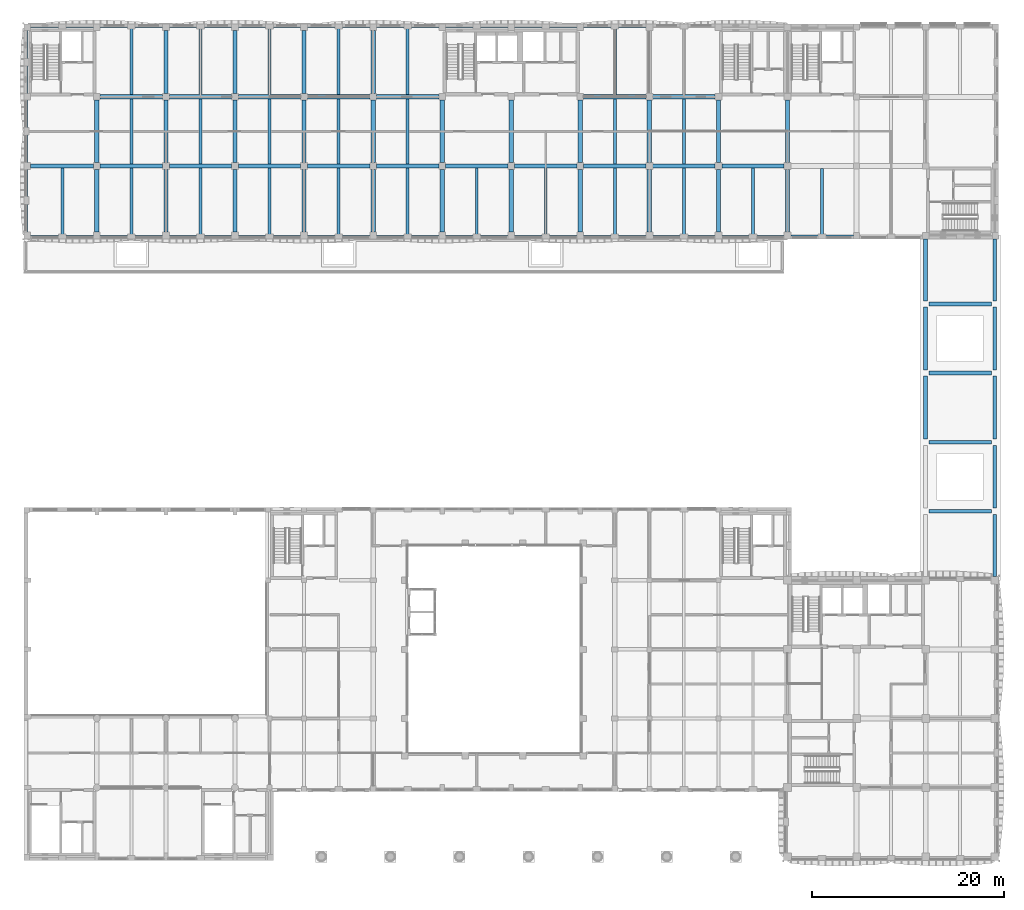
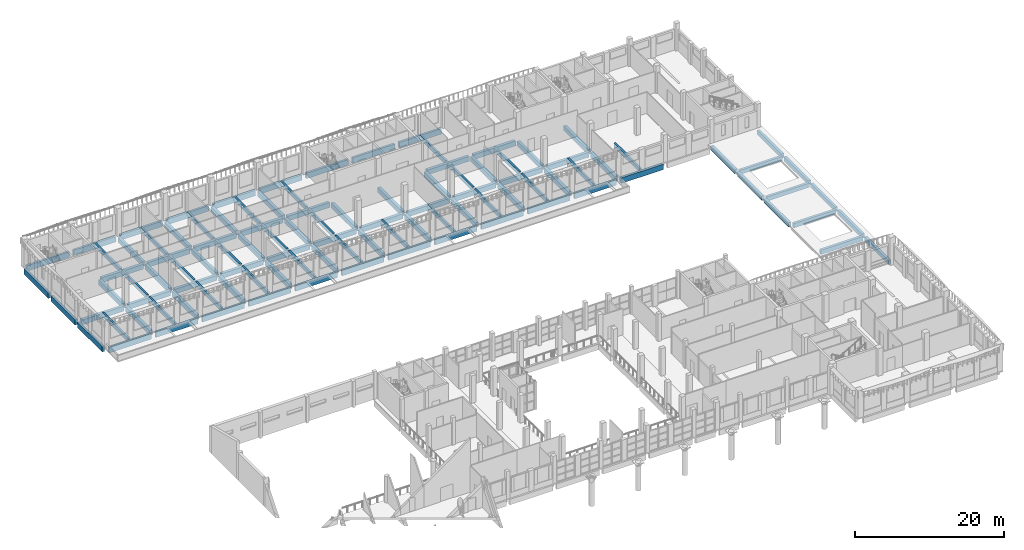
# One storey, part 12 of 59: 105 beams.
"""IFC4 building model written with IfcOpenShell, lengths in metres."""

from ifc_helpers import new_model, si_unit, direction, frame, origin, origin_2d, place, context, subcontext, project, spatial, rectangle, extrude, material, material_profile, profile_set, type_object, element, save


model = new_model("IFC4")

# Units and contexts
model_context = context("Model", 3, precision=1e-05, world=origin(), true_north=direction((0.0, 1.0)))
body_context = subcontext(model_context, "Body", "Model", "MODEL_VIEW")
ifc_project = project(units=[si_unit("LENGTHUNIT", "METRE"), si_unit("AREAUNIT", "SQUARE_METRE"), si_unit("VOLUMEUNIT", "CUBIC_METRE"), si_unit("PLANEANGLEUNIT", "RADIAN"), si_unit("MASSUNIT", "GRAM", prefix="KILO")], contexts=[model_context])

# Site, building, storey
site_placement = place(None, origin())
site = spatial("IfcSite", under=ifc_project, at=site_placement, CompositionType="ELEMENT")
building_placement = place(site_placement, origin())
building = spatial("IfcBuilding", under=site, at=building_placement, Name="Ussher Court Research Institute", CompositionType="ELEMENT")
storey_placement = place(building_placement, frame((0.0, 0.0, 5.39990234375)))
storey = spatial("IfcBuildingStorey", under=building, at=storey_placement, Name="L01", CompositionType="ELEMENT", Elevation=5.39990234375)

# Beams
ifc_material_1 = material(Name="Concrete C35/45", Category="concrete")
ifc_material_profile_1 = material_profile(ifc_material_1, rectangle(XDim=0.300048828125, YDim=0.64990234375, at=origin_2d()), Name="RC 300x650")
ifc_profile_set_1 = profile_set([ifc_material_profile_1], Name="Concrete C35/45")
beam_type_1 = type_object("IfcBeamType", Name="RC 300x650 beam", PredefinedType="BEAM", material=ifc_profile_set_1)
for number, where, z_axis, x_axis, name in (
    (1, (6.60009765625, 68.75, -0.324951171875), (0.0, 1.0, 0.0), (-1.0, 0.0, 0.0), "B4 V5 L01-01"),
    (2, (13.800048828125, 68.75, -0.324951171875), (0.0, 1.0, 0.0), (-1.0, 0.0, 0.0), "B4 V5 L01-02"),
):
    element("IfcBeam", number, at=place(storey_placement, frame(where, z_axis=z_axis, x_axis=x_axis)), inside=storey, type_object=beam_type_1, Name=name, PredefinedType="BEAM", context=body_context, shape_type="SweptSolid", body=[
        extrude(rectangle(XDim=0.300048828125, YDim=0.64990234375, at=origin_2d()), origin(), (0.0, 0.0, 1.0), 7.02490234375),
    ])
beam_1_placement = place(storey_placement, frame((13.800048828125, 76.22509765625, -0.324951171875), z_axis=(0.0, 1.0, 0.0), x_axis=(-1.0, 0.0, 0.0)))
element("IfcBeam", 3, at=beam_1_placement, inside=storey, type_object=beam_type_1, Name="B4 V5 L01-03", PredefinedType="BEAM", context=body_context, shape_type="SweptSolid", body=[
    extrude(rectangle(XDim=0.300048828125, YDim=0.64990234375, at=origin_2d()), origin(), (0.0, 0.0, 1.0), 6.75),
])
for number, where, z_axis, x_axis, name in (
    (4, (13.800048828125, 83.425048828125, -0.324951171875), (0.0, 1.0, 0.0), (-1.0, 0.0, 0.0), "B4 V5 L01-04"),
    (5, (21.0, 68.75, -0.324951171875), (0.0, 1.0, 0.0), (-1.0, 0.0, 0.0), "B4 V5 L01-05"),
):
    element("IfcBeam", number, at=place(storey_placement, frame(where, z_axis=z_axis, x_axis=x_axis)), inside=storey, type_object=beam_type_1, Name=name, PredefinedType="BEAM", context=body_context, shape_type="SweptSolid", body=[
        extrude(rectangle(XDim=0.300048828125, YDim=0.64990234375, at=origin_2d()), origin(), (0.0, 0.0, 1.0), 7.02490234375),
    ])
beam_2_placement = place(storey_placement, frame((21.0, 76.22509765625, -0.324951171875), z_axis=(0.0, 1.0, 0.0), x_axis=(-1.0, 0.0, 0.0)))
element("IfcBeam", 6, at=beam_2_placement, inside=storey, type_object=beam_type_1, Name="B4 V5 L01-06", PredefinedType="BEAM", context=body_context, shape_type="SweptSolid", body=[
    extrude(rectangle(XDim=0.300048828125, YDim=0.64990234375, at=origin_2d()), origin(), (0.0, 0.0, 1.0), 6.75),
])
for number, where, z_axis, x_axis, name in (
    (7, (21.0, 83.425048828125, -0.324951171875), (0.0, 1.0, 0.0), (-1.0, 0.0, 0.0), "B4 V5 L01-07"),
    (8, (28.199951171875, 68.75, -0.324951171875), (0.0, 1.0, 0.0), (-1.0, 0.0, 0.0), "B4 V5 L01-08"),
):
    element("IfcBeam", number, at=place(storey_placement, frame(where, z_axis=z_axis, x_axis=x_axis)), inside=storey, type_object=beam_type_1, Name=name, PredefinedType="BEAM", context=body_context, shape_type="SweptSolid", body=[
        extrude(rectangle(XDim=0.300048828125, YDim=0.64990234375, at=origin_2d()), origin(), (0.0, 0.0, 1.0), 7.02490234375),
    ])
beam_3_placement = place(storey_placement, frame((28.199951171875, 76.22509765625, -0.324951171875), z_axis=(0.0, 1.0, 0.0), x_axis=(-1.0, 0.0, 0.0)))
element("IfcBeam", 9, at=beam_3_placement, inside=storey, type_object=beam_type_1, Name="B4 V5 L01-09", PredefinedType="BEAM", context=body_context, shape_type="SweptSolid", body=[
    extrude(rectangle(XDim=0.300048828125, YDim=0.64990234375, at=origin_2d()), origin(), (0.0, 0.0, 1.0), 6.75),
])
for number, where, z_axis, x_axis, name in (
    (10, (28.199951171875, 83.425048828125, -0.324951171875), (0.0, 1.0, 0.0), (-1.0, 0.0, 0.0), "B4 V5 L01-10"),
    (11, (35.39990234375, 68.75, -0.324951171875), (0.0, 1.0, 0.0), (-1.0, 0.0, 0.0), "B4 V5 L01-11"),
):
    element("IfcBeam", number, at=place(storey_placement, frame(where, z_axis=z_axis, x_axis=x_axis)), inside=storey, type_object=beam_type_1, Name=name, PredefinedType="BEAM", context=body_context, shape_type="SweptSolid", body=[
        extrude(rectangle(XDim=0.300048828125, YDim=0.64990234375, at=origin_2d()), origin(), (0.0, 0.0, 1.0), 7.02490234375),
    ])
beam_4_placement = place(storey_placement, frame((35.39990234375, 76.22509765625, -0.324951171875), z_axis=(0.0, 1.0, 0.0), x_axis=(-1.0, 0.0, 0.0)))
element("IfcBeam", 12, at=beam_4_placement, inside=storey, type_object=beam_type_1, Name="B4 V5 L01-12", PredefinedType="BEAM", context=body_context, shape_type="SweptSolid", body=[
    extrude(rectangle(XDim=0.300048828125, YDim=0.64990234375, at=origin_2d()), origin(), (0.0, 0.0, 1.0), 6.75),
])
for number, where, z_axis, x_axis, name in (
    (13, (35.39990234375, 83.425048828125, -0.324951171875), (0.0, 1.0, 0.0), (-1.0, 0.0, 0.0), "B4 V5 L01-13"),
    (14, (42.60009765625, 68.75, -0.324951171875), (0.0, 1.0, 0.0), (-1.0, 0.0, 0.0), "B4 V5 L01-14"),
):
    element("IfcBeam", number, at=place(storey_placement, frame(where, z_axis=z_axis, x_axis=x_axis)), inside=storey, type_object=beam_type_1, Name=name, PredefinedType="BEAM", context=body_context, shape_type="SweptSolid", body=[
        extrude(rectangle(XDim=0.300048828125, YDim=0.64990234375, at=origin_2d()), origin(), (0.0, 0.0, 1.0), 7.02490234375),
    ])
beam_5_placement = place(storey_placement, frame((42.60009765625, 76.22509765625, -0.324951171875), z_axis=(0.0, 1.0, 0.0), x_axis=(-1.0, 0.0, 0.0)))
element("IfcBeam", 15, at=beam_5_placement, inside=storey, type_object=beam_type_1, Name="B4 V5 L01-15", PredefinedType="BEAM", context=body_context, shape_type="SweptSolid", body=[
    extrude(rectangle(XDim=0.300048828125, YDim=0.64990234375, at=origin_2d()), origin(), (0.0, 0.0, 1.0), 6.75),
])
for number, where, z_axis, x_axis, name in (
    (16, (42.60009765625, 83.425048828125, -0.324951171875), (0.0, 1.0, 0.0), (-1.0, 0.0, 0.0), "B4 V5 L01-16"),
    (17, (49.800048828125, 68.75, -0.324951171875), (0.0, 1.0, 0.0), (-1.0, 0.0, 0.0), "B4 V5 L01-17"),
    (18, (57.0, 68.75, -0.324951171875), (0.0, 1.0, 0.0), (-1.0, 0.0, 0.0), "B4 V5 L01-18"),
    (19, (64.199951171875, 68.75, -0.324951171875), (0.0, 1.0, 0.0), (-1.0, 0.0, 0.0), "B4 V5 L01-19"),
):
    element("IfcBeam", number, at=place(storey_placement, frame(where, z_axis=z_axis, x_axis=x_axis)), inside=storey, type_object=beam_type_1, Name=name, PredefinedType="BEAM", context=body_context, shape_type="SweptSolid", body=[
        extrude(rectangle(XDim=0.300048828125, YDim=0.64990234375, at=origin_2d()), origin(), (0.0, 0.0, 1.0), 7.02490234375),
    ])
beam_6_placement = place(storey_placement, frame((64.199951171875, 76.22509765625, -0.324951171875), z_axis=(0.0, 1.0, 0.0), x_axis=(-1.0, 0.0, 0.0)))
element("IfcBeam", 20, at=beam_6_placement, inside=storey, type_object=beam_type_1, Name="B4 V5 L01-20", PredefinedType="BEAM", context=body_context, shape_type="SweptSolid", body=[
    extrude(rectangle(XDim=0.300048828125, YDim=0.64990234375, at=origin_2d()), origin(), (0.0, 0.0, 1.0), 6.75),
])
for number, where, z_axis, x_axis, name in (
    (21, (64.199951171875, 83.425048828125, -0.324951171875), (0.0, 1.0, 0.0), (-1.0, 0.0, 0.0), "B4 V5 L01-21"),
    (22, (71.39990234375, 68.75, -0.324951171875), (0.0, 1.0, 0.0), (-1.0, 0.0, 0.0), "B4 V5 L01-22"),
):
    element("IfcBeam", number, at=place(storey_placement, frame(where, z_axis=z_axis, x_axis=x_axis)), inside=storey, type_object=beam_type_1, Name=name, PredefinedType="BEAM", context=body_context, shape_type="SweptSolid", body=[
        extrude(rectangle(XDim=0.300048828125, YDim=0.64990234375, at=origin_2d()), origin(), (0.0, 0.0, 1.0), 7.02490234375),
    ])
beam_7_placement = place(storey_placement, frame((71.39990234375, 76.22509765625, -0.324951171875), z_axis=(0.0, 1.0, 0.0), x_axis=(-1.0, 0.0, 0.0)))
element("IfcBeam", 23, at=beam_7_placement, inside=storey, type_object=beam_type_1, Name="B4 V5 L01-23", PredefinedType="BEAM", context=body_context, shape_type="SweptSolid", body=[
    extrude(rectangle(XDim=0.300048828125, YDim=0.64990234375, at=origin_2d()), origin(), (0.0, 0.0, 1.0), 6.75),
])
beam_8_placement = place(storey_placement, frame((78.60009765625, 68.75, -0.324951171875), z_axis=(0.0, 1.0, 0.0), x_axis=(-1.0, 0.0, 0.0)))
element("IfcBeam", 24, at=beam_8_placement, inside=storey, type_object=beam_type_1, Name="B4 V5 L01-25", PredefinedType="BEAM", context=body_context, shape_type="SweptSolid", body=[
    extrude(rectangle(XDim=0.300048828125, YDim=0.64990234375, at=origin_2d()), origin(), (0.0, 0.0, 1.0), 7.02490234375),
])
beam_9_placement = place(storey_placement, frame((85.800048828125, 68.800048828125, -0.324951171875), z_axis=(0.0, 1.0, 0.0), x_axis=(-1.0, 0.0, 0.0)))
element("IfcBeam", 25, at=beam_9_placement, inside=storey, type_object=beam_type_1, Name="B4 V3 L01-01", PredefinedType="BEAM", context=body_context, shape_type="SweptSolid", body=[
    extrude(rectangle(XDim=0.300048828125, YDim=0.64990234375, at=origin_2d()), origin(), (0.0, 0.0, 1.0), 6.949951171875),
])
ifc_material_2 = material(Name="Concrete C35/45", Category="concrete")
ifc_material_profile_2 = material_profile(ifc_material_2, rectangle(XDim=0.35009765625, YDim=0.89990234375, at=origin_2d()), Name="RC 350x900")
ifc_profile_set_2 = profile_set([ifc_material_profile_2], Name="Concrete C35/45")
beam_type_2 = type_object("IfcBeamType", Name="RC 350x900 beam", PredefinedType="BEAM", material=ifc_profile_set_2)
beam_10_placement = place(storey_placement, frame((3.300048828125, 68.574951171875, -0.64990234375), z_axis=(1.0, 0.0, 0.0), x_axis=(0.0, 1.0, 0.0)))
element("IfcBeam", 26, at=beam_10_placement, inside=storey, type_object=beam_type_2, Name="SB1 V5 L01-01", PredefinedType="BEAM", context=body_context, shape_type="SweptSolid", body=[
    extrude(rectangle(XDim=0.35009765625, YDim=0.89990234375, at=origin_2d()), origin(), (0.0, 0.0, 1.0), 6.550048828125),
])
for number, where, z_axis, x_axis, name in (
    (27, (10.550048828125, 68.574951171875, -0.64990234375), (1.0, 0.0, 0.0), (0.0, 1.0, 0.0), "SB1 V5 L01-02"),
    (28, (17.75, 68.574951171875, -0.64990234375), (1.0, 0.0, 0.0), (0.0, 1.0, 0.0), "SB1 V5 L01-03"),
    (29, (24.949951171875, 68.574951171875, -0.64990234375), (1.0, 0.0, 0.0), (0.0, 1.0, 0.0), "SB1 V5 L01-04"),
    (30, (32.14990234375, 68.574951171875, -0.64990234375), (1.0, 0.0, 0.0), (0.0, 1.0, 0.0), "SB1 V5 L01-05"),
    (31, (39.35009765625, 68.574951171875, -0.64990234375), (1.0, 0.0, 0.0), (0.0, 1.0, 0.0), "SB1 V5 L01-06"),
    (32, (46.550048828125, 68.574951171875, -0.64990234375), (1.0, 0.0, 0.0), (0.0, 1.0, 0.0), "SB1 V5 L01-07"),
    (33, (53.75, 68.574951171875, -0.64990234375), (1.0, 0.0, 0.0), (0.0, 1.0, 0.0), "SB1 V5 L01-08"),
    (34, (60.949951171875, 68.574951171875, -0.64990234375), (1.0, 0.0, 0.0), (0.0, 1.0, 0.0), "SB1 V5 L01-09"),
    (35, (68.14990234375, 68.574951171875, -0.64990234375), (1.0, 0.0, 0.0), (0.0, 1.0, 0.0), "SB1 V5 L01-10"),
    (36, (75.35009765625, 68.574951171875, -0.64990234375), (1.0, 0.0, 0.0), (0.0, 1.0, 0.0), "SB1 V5 L01-11"),
):
    element("IfcBeam", number, at=place(storey_placement, frame(where, z_axis=z_axis, x_axis=x_axis)), inside=storey, type_object=beam_type_2, Name=name, PredefinedType="BEAM", context=body_context, shape_type="SweptSolid", body=[
        extrude(rectangle(XDim=0.35009765625, YDim=0.89990234375, at=origin_2d()), origin(), (0.0, 0.0, 1.0), 6.5),
    ])
beam_11_placement = place(storey_placement, frame((3.300048828125, 90.625, -0.64990234375), z_axis=(1.0, 0.0, 0.0), x_axis=(0.0, 1.0, 0.0)))
element("IfcBeam", 37, at=beam_11_placement, inside=storey, type_object=beam_type_2, Name="SB1 V5 L01-12", PredefinedType="BEAM", context=body_context, shape_type="SweptSolid", body=[
    extrude(rectangle(XDim=0.35009765625, YDim=0.89990234375, at=origin_2d()), origin(), (0.0, 0.0, 1.0), 6.550048828125),
])
for number, where, z_axis, x_axis, name in (
    (38, (10.550048828125, 90.625, -0.64990234375), (1.0, 0.0, 0.0), (0.0, 1.0, 0.0), "SB1 V5 L01-13"),
    (39, (17.75, 90.625, -0.64990234375), (1.0, 0.0, 0.0), (0.0, 1.0, 0.0), "SB1 V5 L01-14"),
    (40, (24.949951171875, 90.625, -0.64990234375), (1.0, 0.0, 0.0), (0.0, 1.0, 0.0), "SB1 V5 L01-15"),
    (41, (32.14990234375, 90.625, -0.64990234375), (1.0, 0.0, 0.0), (0.0, 1.0, 0.0), "SB1 V5 L01-16"),
    (42, (39.35009765625, 90.625, -0.64990234375), (1.0, 0.0, 0.0), (0.0, 1.0, 0.0), "SB1 V5 L01-17"),
    (43, (46.550048828125, 90.625, -0.64990234375), (1.0, 0.0, 0.0), (0.0, 1.0, 0.0), "SB1 V5 L01-18"),
    (44, (53.75, 90.625, -0.64990234375), (1.0, 0.0, 0.0), (0.0, 1.0, 0.0), "SB1 V5 L01-19"),
    (45, (60.949951171875, 90.625, -0.64990234375), (1.0, 0.0, 0.0), (0.0, 1.0, 0.0), "SB1 V5 L01-20"),
):
    element("IfcBeam", number, at=place(storey_placement, frame(where, z_axis=z_axis, x_axis=x_axis)), inside=storey, type_object=beam_type_2, Name=name, PredefinedType="BEAM", context=body_context, shape_type="SweptSolid", body=[
        extrude(rectangle(XDim=0.35009765625, YDim=0.89990234375, at=origin_2d()), origin(), (0.0, 0.0, 1.0), 6.5),
    ])
beam_12_placement = place(storey_placement, frame((2.77490234375, 69.10009765625, -0.64990234375), z_axis=(0.0, 1.0, 0.0), x_axis=(-1.0, 0.0, 0.0)))
element("IfcBeam", 46, at=beam_12_placement, inside=storey, type_object=beam_type_2, Name="SB1 V5 L01-23", PredefinedType="BEAM", context=body_context, shape_type="SweptSolid", body=[
    extrude(rectangle(XDim=0.35009765625, YDim=0.89990234375, at=origin_2d()), origin(), (0.0, 0.0, 1.0), 6.5498046875),
])
beam_13_placement = place(storey_placement, frame((2.77490234375, 76.35009765625, -0.64990234375), z_axis=(0.0, 1.0, 0.0), x_axis=(-1.0, 0.0, 0.0)))
element("IfcBeam", 47, at=beam_13_placement, inside=storey, type_object=beam_type_2, Name="SB1 V5 L01-24", PredefinedType="BEAM", context=body_context, shape_type="SweptSolid", body=[
    extrude(rectangle(XDim=0.35009765625, YDim=0.89990234375, at=origin_2d()), origin(), (0.0, 0.0, 1.0), 6.5),
])
beam_14_placement = place(storey_placement, frame((2.77490234375, 83.550048828125, -0.64990234375), z_axis=(0.0, 1.0, 0.0), x_axis=(-1.0, 0.0, 0.0)))
element("IfcBeam", 48, at=beam_14_placement, inside=storey, type_object=beam_type_2, Name="SB1 V5 L01-25", PredefinedType="BEAM", context=body_context, shape_type="SweptSolid", body=[
    extrude(rectangle(XDim=0.35009765625, YDim=0.89990234375, at=origin_2d()), origin(), (0.0, 0.0, 1.0), 6.550048828125),
])
ifc_material_3 = material(Name="Concrete C35/45", Category="concrete")
ifc_material_profile_3 = material_profile(ifc_material_3, rectangle(XDim=0.39990234375, YDim=0.699951171875, at=origin_2d()), Name="RC 400x700")
ifc_profile_set_3 = profile_set([ifc_material_profile_3], Name="Concrete C35/45")
beam_type_3 = type_object("IfcBeamType", Name="RC 400x700 beam", PredefinedType="BEAM", material=ifc_profile_set_3)
beam_15_placement = place(storey_placement, frame((96.60009765625, 47.52490234375, -0.08984375), z_axis=(0.0, 1.0, 0.0), x_axis=(-1.0, 0.0, 0.0)))
element("IfcBeam", 49, at=beam_15_placement, inside=storey, type_object=beam_type_3, Name="B7 V8 L01-03", PredefinedType="BEAM", context=body_context, shape_type="SweptSolid", body=[
    extrude(rectangle(XDim=0.39990234375, YDim=0.699951171875, at=origin_2d()), origin(), (0.0, 0.0, 1.0), 6.550048828125),
])
beam_16_placement = place(storey_placement, frame((96.60009765625, 54.72509765625, -0.08984375), z_axis=(0.0, 1.0, 0.0), x_axis=(-1.0, 0.0, 0.0)))
element("IfcBeam", 50, at=beam_16_placement, inside=storey, type_object=beam_type_3, Name="B7 V8 L01-04", PredefinedType="BEAM", context=body_context, shape_type="SweptSolid", body=[
    extrude(rectangle(XDim=0.39990234375, YDim=0.699951171875, at=origin_2d()), origin(), (0.0, 0.0, 1.0), 6.5498046875),
])
beam_17_placement = place(storey_placement, frame((96.60009765625, 61.925048828125, -0.08984375), z_axis=(0.0, 1.0, 0.0), x_axis=(-1.0, 0.0, 0.0)))
element("IfcBeam", 51, at=beam_17_placement, inside=storey, type_object=beam_type_3, Name="B7 V8 L01-05", PredefinedType="BEAM", context=body_context, shape_type="SweptSolid", body=[
    extrude(rectangle(XDim=0.39990234375, YDim=0.699951171875, at=origin_2d()), origin(), (0.0, 0.0, 1.0), 6.474853515625),
])
beam_18_placement = place(storey_placement, frame((103.800048828125, 33.199951171875, -0.08984375), z_axis=(0.0, 1.0, 0.0), x_axis=(-1.0, 0.0, 0.0)))
element("IfcBeam", 52, at=beam_18_placement, inside=storey, type_object=beam_type_3, Name="B7 V8 L01-06", PredefinedType="BEAM", context=body_context, shape_type="SweptSolid", body=[
    extrude(rectangle(XDim=0.39990234375, YDim=0.699951171875, at=origin_2d()), origin(), (0.0, 0.0, 1.0), 6.47509765625),
])
for number, where, z_axis, x_axis, name in (
    (53, (103.800048828125, 40.324951171875, -0.08984375), (0.0, 1.0, 0.0), (-1.0, 0.0, 0.0), "B7 V8 L01-07"),
    (54, (103.800048828125, 47.52490234375, -0.08984375), (0.0, 1.0, 0.0), (-1.0, 0.0, 0.0), "B7 V8 L01-08"),
):
    element("IfcBeam", number, at=place(storey_placement, frame(where, z_axis=z_axis, x_axis=x_axis)), inside=storey, type_object=beam_type_3, Name=name, PredefinedType="BEAM", context=body_context, shape_type="SweptSolid", body=[
        extrude(rectangle(XDim=0.39990234375, YDim=0.699951171875, at=origin_2d()), origin(), (0.0, 0.0, 1.0), 6.550048828125),
    ])
beam_19_placement = place(storey_placement, frame((103.800048828125, 54.72509765625, -0.08984375), z_axis=(0.0, 1.0, 0.0), x_axis=(-1.0, 0.0, 0.0)))
element("IfcBeam", 55, at=beam_19_placement, inside=storey, type_object=beam_type_3, Name="B7 V8 L01-09", PredefinedType="BEAM", context=body_context, shape_type="SweptSolid", body=[
    extrude(rectangle(XDim=0.39990234375, YDim=0.699951171875, at=origin_2d()), origin(), (0.0, 0.0, 1.0), 6.5498046875),
])
beam_20_placement = place(storey_placement, frame((103.800048828125, 61.925048828125, -0.08984375), z_axis=(0.0, 1.0, 0.0), x_axis=(-1.0, 0.0, 0.0)))
element("IfcBeam", 56, at=beam_20_placement, inside=storey, type_object=beam_type_3, Name="B7 V8 L01-10", PredefinedType="BEAM", context=body_context, shape_type="SweptSolid", body=[
    extrude(rectangle(XDim=0.39990234375, YDim=0.699951171875, at=origin_2d()), origin(), (0.0, 0.0, 1.0), 6.474853515625),
])
for number, where, z_axis, x_axis, name in (
    (57, (96.925048828125, 40.0, -0.08984375), (1.0, 0.0, 0.0), (0.0, 1.0, 0.0), "B7 V8 L01-11"),
    (58, (96.925048828125, 47.199951171875, -0.08984375), (1.0, 0.0, 0.0), (0.0, 1.0, 0.0), "B7 V8 L01-12"),
    (59, (96.925048828125, 54.39990234375, -0.08984375), (1.0, 0.0, 0.0), (0.0, 1.0, 0.0), "B7 V8 L01-13"),
    (60, (96.925048828125, 61.60009765625, -0.08984375), (1.0, 0.0, 0.0), (0.0, 1.0, 0.0), "B7 V8 L01-14"),
):
    element("IfcBeam", number, at=place(storey_placement, frame(where, z_axis=z_axis, x_axis=x_axis)), inside=storey, type_object=beam_type_3, Name=name, PredefinedType="BEAM", context=body_context, shape_type="SweptSolid", body=[
        extrude(rectangle(XDim=0.39990234375, YDim=0.699951171875, at=origin_2d()), origin(), (0.0, 0.0, 1.0), 6.550048828125),
    ])
ifc_material_4 = material(Name="Concrete C35/45", Category="concrete")
ifc_material_profile_4 = material_profile(ifc_material_4, rectangle(XDim=0.39990234375, YDim=0.89990234375, at=origin_2d()), Name="RC 400x900")
ifc_profile_set_4 = profile_set([ifc_material_profile_4], Name="Concrete C35/45")
beam_type_4 = type_object("IfcBeamType", Name="RC 400x900 beam", PredefinedType="BEAM", material=ifc_profile_set_4)
beam_21_placement = place(storey_placement, frame((82.550048828125, 68.60009765625, -0.64990234375), z_axis=(1.0, 0.0, 0.0), x_axis=(0.0, 1.0, 0.0)))
element("IfcBeam", 61, at=beam_21_placement, inside=storey, type_object=beam_type_4, Name="B8 V3 L01-01", PredefinedType="BEAM", context=body_context, shape_type="SweptSolid", body=[
    extrude(rectangle(XDim=0.39990234375, YDim=0.89990234375, at=origin_2d()), origin(), (0.0, 0.0, 1.0), 6.52490234375),
])
ifc_material_5 = material(Name="Concrete C35/45", Category="concrete")
ifc_material_profile_5 = material_profile(ifc_material_5, rectangle(XDim=0.449951171875, YDim=0.800048828125, at=origin_2d()), Name="RC 450x800")
ifc_profile_set_5 = profile_set([ifc_material_profile_5], Name="Concrete C35/45")
beam_type_5 = type_object("IfcBeamType", Name="RC 450x800 beam", PredefinedType="BEAM", material=ifc_profile_set_5)
beam_22_placement = place(storey_placement, frame((3.300048828125, 76.0, -0.599853515625), z_axis=(1.0, 0.0, 0.0), x_axis=(0.0, 1.0, 0.0)))
element("IfcBeam", 62, at=beam_22_placement, inside=storey, type_object=beam_type_5, Name="B11 V5 L01-01", PredefinedType="BEAM", context=body_context, shape_type="SweptSolid", body=[
    extrude(rectangle(XDim=0.449951171875, YDim=0.800048828125, at=origin_2d()), origin(), (0.0, 0.0, 1.0), 6.550048828125),
])
for number, where, z_axis, x_axis, name in (
    (63, (10.550048828125, 76.0, -0.599853515625), (1.0, 0.0, 0.0), (0.0, 1.0, 0.0), "B11 V5 L01-02"),
    (64, (17.75, 76.0, -0.599853515625), (1.0, 0.0, 0.0), (0.0, 1.0, 0.0), "B11 V5 L01-03"),
    (65, (24.949951171875, 76.0, -0.599853515625), (1.0, 0.0, 0.0), (0.0, 1.0, 0.0), "B11 V5 L01-04"),
    (66, (32.14990234375, 76.0, -0.599853515625), (1.0, 0.0, 0.0), (0.0, 1.0, 0.0), "B11 V5 L01-05"),
    (67, (39.35009765625, 76.0, -0.599853515625), (1.0, 0.0, 0.0), (0.0, 1.0, 0.0), "B11 V5 L01-06"),
    (68, (46.550048828125, 76.0, -0.599853515625), (1.0, 0.0, 0.0), (0.0, 1.0, 0.0), "B11 V5 L01-07"),
    (69, (53.75, 76.0, -0.599853515625), (1.0, 0.0, 0.0), (0.0, 1.0, 0.0), "B11 V5 L01-08"),
    (70, (60.949951171875, 76.0, -0.599853515625), (1.0, 0.0, 0.0), (0.0, 1.0, 0.0), "B11 V5 L01-09"),
    (71, (68.14990234375, 76.0, -0.599853515625), (1.0, 0.0, 0.0), (0.0, 1.0, 0.0), "B11 V5 L01-10"),
    (72, (75.35009765625, 76.0, -0.599853515625), (1.0, 0.0, 0.0), (0.0, 1.0, 0.0), "B11 V5 L01-11"),
    (73, (10.550048828125, 83.199951171875, -0.599853515625), (1.0, 0.0, 0.0), (0.0, 1.0, 0.0), "B11 V5 L01-12"),
    (74, (17.75, 83.199951171875, -0.599853515625), (1.0, 0.0, 0.0), (0.0, 1.0, 0.0), "B11 V5 L01-13"),
    (75, (24.949951171875, 83.199951171875, -0.599853515625), (1.0, 0.0, 0.0), (0.0, 1.0, 0.0), "B11 V5 L01-14"),
    (76, (32.14990234375, 83.199951171875, -0.599853515625), (1.0, 0.0, 0.0), (0.0, 1.0, 0.0), "B11 V5 L01-15"),
    (77, (39.35009765625, 83.199951171875, -0.599853515625), (1.0, 0.0, 0.0), (0.0, 1.0, 0.0), "B11 V5 L01-16"),
    (78, (60.949951171875, 83.199951171875, -0.599853515625), (1.0, 0.0, 0.0), (0.0, 1.0, 0.0), "B11 V5 L01-17"),
    (79, (68.14990234375, 83.199951171875, -0.599853515625), (1.0, 0.0, 0.0), (0.0, 1.0, 0.0), "B11 V5 L01-18"),
):
    element("IfcBeam", number, at=place(storey_placement, frame(where, z_axis=z_axis, x_axis=x_axis)), inside=storey, type_object=beam_type_5, Name=name, PredefinedType="BEAM", context=body_context, shape_type="SweptSolid", body=[
        extrude(rectangle(XDim=0.449951171875, YDim=0.800048828125, at=origin_2d()), origin(), (0.0, 0.0, 1.0), 6.5),
    ])
beam_23_placement = place(storey_placement, frame((10.199951171875, 69.10009765625, -0.599853515625), z_axis=(0.0, 1.0, 0.0), x_axis=(-1.0, 0.0, 0.0)))
element("IfcBeam", 80, at=beam_23_placement, inside=storey, type_object=beam_type_5, Name="B11 V5 L01-19", PredefinedType="BEAM", context=body_context, shape_type="SweptSolid", body=[
    extrude(rectangle(XDim=0.449951171875, YDim=0.800048828125, at=origin_2d()), origin(), (0.0, 0.0, 1.0), 6.5498046875),
])
beam_24_placement = place(storey_placement, frame((10.199951171875, 76.35009765625, -0.599853515625), z_axis=(0.0, 1.0, 0.0), x_axis=(-1.0, 0.0, 0.0)))
element("IfcBeam", 81, at=beam_24_placement, inside=storey, type_object=beam_type_5, Name="B11 V5 L01-20", PredefinedType="BEAM", context=body_context, shape_type="SweptSolid", body=[
    extrude(rectangle(XDim=0.449951171875, YDim=0.800048828125, at=origin_2d()), origin(), (0.0, 0.0, 1.0), 6.5),
])
beam_25_placement = place(storey_placement, frame((17.39990234375, 69.10009765625, -0.599853515625), z_axis=(0.0, 1.0, 0.0), x_axis=(-1.0, 0.0, 0.0)))
element("IfcBeam", 82, at=beam_25_placement, inside=storey, type_object=beam_type_5, Name="B11 V5 L01-21", PredefinedType="BEAM", context=body_context, shape_type="SweptSolid", body=[
    extrude(rectangle(XDim=0.449951171875, YDim=0.800048828125, at=origin_2d()), origin(), (0.0, 0.0, 1.0), 6.5498046875),
])
beam_26_placement = place(storey_placement, frame((17.39990234375, 76.35009765625, -0.599853515625), z_axis=(0.0, 1.0, 0.0), x_axis=(-1.0, 0.0, 0.0)))
element("IfcBeam", 83, at=beam_26_placement, inside=storey, type_object=beam_type_5, Name="B11 V5 L01-22", PredefinedType="BEAM", context=body_context, shape_type="SweptSolid", body=[
    extrude(rectangle(XDim=0.449951171875, YDim=0.800048828125, at=origin_2d()), origin(), (0.0, 0.0, 1.0), 6.5),
])
beam_27_placement = place(storey_placement, frame((17.39990234375, 83.550048828125, -0.599853515625), z_axis=(0.0, 1.0, 0.0), x_axis=(-1.0, 0.0, 0.0)))
element("IfcBeam", 84, at=beam_27_placement, inside=storey, type_object=beam_type_5, Name="B11 V5 L01-23", PredefinedType="BEAM", context=body_context, shape_type="SweptSolid", body=[
    extrude(rectangle(XDim=0.449951171875, YDim=0.800048828125, at=origin_2d()), origin(), (0.0, 0.0, 1.0), 6.550048828125),
])
beam_28_placement = place(storey_placement, frame((24.60009765625, 69.10009765625, -0.599853515625), z_axis=(0.0, 1.0, 0.0), x_axis=(-1.0, 0.0, 0.0)))
element("IfcBeam", 85, at=beam_28_placement, inside=storey, type_object=beam_type_5, Name="B11 V5 L01-24", PredefinedType="BEAM", context=body_context, shape_type="SweptSolid", body=[
    extrude(rectangle(XDim=0.449951171875, YDim=0.800048828125, at=origin_2d()), origin(), (0.0, 0.0, 1.0), 6.5498046875),
])
beam_29_placement = place(storey_placement, frame((24.60009765625, 76.35009765625, -0.599853515625), z_axis=(0.0, 1.0, 0.0), x_axis=(-1.0, 0.0, 0.0)))
element("IfcBeam", 86, at=beam_29_placement, inside=storey, type_object=beam_type_5, Name="B11 V5 L01-25", PredefinedType="BEAM", context=body_context, shape_type="SweptSolid", body=[
    extrude(rectangle(XDim=0.449951171875, YDim=0.800048828125, at=origin_2d()), origin(), (0.0, 0.0, 1.0), 6.5),
])
beam_30_placement = place(storey_placement, frame((24.60009765625, 83.550048828125, -0.599853515625), z_axis=(0.0, 1.0, 0.0), x_axis=(-1.0, 0.0, 0.0)))
element("IfcBeam", 87, at=beam_30_placement, inside=storey, type_object=beam_type_5, Name="B11 V5 L01-26", PredefinedType="BEAM", context=body_context, shape_type="SweptSolid", body=[
    extrude(rectangle(XDim=0.449951171875, YDim=0.800048828125, at=origin_2d()), origin(), (0.0, 0.0, 1.0), 6.550048828125),
])
beam_31_placement = place(storey_placement, frame((31.800048828125, 69.10009765625, -0.599853515625), z_axis=(0.0, 1.0, 0.0), x_axis=(-1.0, 0.0, 0.0)))
element("IfcBeam", 88, at=beam_31_placement, inside=storey, type_object=beam_type_5, Name="B11 V5 L01-27", PredefinedType="BEAM", context=body_context, shape_type="SweptSolid", body=[
    extrude(rectangle(XDim=0.449951171875, YDim=0.800048828125, at=origin_2d()), origin(), (0.0, 0.0, 1.0), 6.5498046875),
])
beam_32_placement = place(storey_placement, frame((31.800048828125, 76.35009765625, -0.599853515625), z_axis=(0.0, 1.0, 0.0), x_axis=(-1.0, 0.0, 0.0)))
element("IfcBeam", 89, at=beam_32_placement, inside=storey, type_object=beam_type_5, Name="B11 V5 L01-28", PredefinedType="BEAM", context=body_context, shape_type="SweptSolid", body=[
    extrude(rectangle(XDim=0.449951171875, YDim=0.800048828125, at=origin_2d()), origin(), (0.0, 0.0, 1.0), 6.5),
])
beam_33_placement = place(storey_placement, frame((31.800048828125, 83.550048828125, -0.599853515625), z_axis=(0.0, 1.0, 0.0), x_axis=(-1.0, 0.0, 0.0)))
element("IfcBeam", 90, at=beam_33_placement, inside=storey, type_object=beam_type_5, Name="B11 V5 L01-29", PredefinedType="BEAM", context=body_context, shape_type="SweptSolid", body=[
    extrude(rectangle(XDim=0.449951171875, YDim=0.800048828125, at=origin_2d()), origin(), (0.0, 0.0, 1.0), 6.550048828125),
])
beam_34_placement = place(storey_placement, frame((39.0, 69.10009765625, -0.599853515625), z_axis=(0.0, 1.0, 0.0), x_axis=(-1.0, 0.0, 0.0)))
element("IfcBeam", 91, at=beam_34_placement, inside=storey, type_object=beam_type_5, Name="B11 V5 L01-30", PredefinedType="BEAM", context=body_context, shape_type="SweptSolid", body=[
    extrude(rectangle(XDim=0.449951171875, YDim=0.800048828125, at=origin_2d()), origin(), (0.0, 0.0, 1.0), 6.5498046875),
])
beam_35_placement = place(storey_placement, frame((39.0, 76.35009765625, -0.599853515625), z_axis=(0.0, 1.0, 0.0), x_axis=(-1.0, 0.0, 0.0)))
element("IfcBeam", 92, at=beam_35_placement, inside=storey, type_object=beam_type_5, Name="B11 V5 L01-31", PredefinedType="BEAM", context=body_context, shape_type="SweptSolid", body=[
    extrude(rectangle(XDim=0.449951171875, YDim=0.800048828125, at=origin_2d()), origin(), (0.0, 0.0, 1.0), 6.5),
])
beam_36_placement = place(storey_placement, frame((39.0, 83.550048828125, -0.599853515625), z_axis=(0.0, 1.0, 0.0), x_axis=(-1.0, 0.0, 0.0)))
element("IfcBeam", 93, at=beam_36_placement, inside=storey, type_object=beam_type_5, Name="B11 V5 L01-32", PredefinedType="BEAM", context=body_context, shape_type="SweptSolid", body=[
    extrude(rectangle(XDim=0.449951171875, YDim=0.800048828125, at=origin_2d()), origin(), (0.0, 0.0, 1.0), 6.550048828125),
])
beam_37_placement = place(storey_placement, frame((46.199951171875, 69.10009765625, -0.599853515625), z_axis=(0.0, 1.0, 0.0), x_axis=(-1.0, 0.0, 0.0)))
element("IfcBeam", 94, at=beam_37_placement, inside=storey, type_object=beam_type_5, Name="B11 V5 L01-33", PredefinedType="BEAM", context=body_context, shape_type="SweptSolid", body=[
    extrude(rectangle(XDim=0.449951171875, YDim=0.800048828125, at=origin_2d()), origin(), (0.0, 0.0, 1.0), 6.5498046875),
])
beam_38_placement = place(storey_placement, frame((46.199951171875, 76.35009765625, -0.599853515625), z_axis=(0.0, 1.0, 0.0), x_axis=(-1.0, 0.0, 0.0)))
element("IfcBeam", 95, at=beam_38_placement, inside=storey, type_object=beam_type_5, Name="B11 V5 L01-34", PredefinedType="BEAM", context=body_context, shape_type="SweptSolid", body=[
    extrude(rectangle(XDim=0.449951171875, YDim=0.800048828125, at=origin_2d()), origin(), (0.0, 0.0, 1.0), 6.5),
])
beam_39_placement = place(storey_placement, frame((53.39990234375, 69.10009765625, -0.599853515625), z_axis=(0.0, 1.0, 0.0), x_axis=(-1.0, 0.0, 0.0)))
element("IfcBeam", 96, at=beam_39_placement, inside=storey, type_object=beam_type_5, Name="B11 V5 L01-35", PredefinedType="BEAM", context=body_context, shape_type="SweptSolid", body=[
    extrude(rectangle(XDim=0.449951171875, YDim=0.800048828125, at=origin_2d()), origin(), (0.0, 0.0, 1.0), 6.5498046875),
])
beam_40_placement = place(storey_placement, frame((53.39990234375, 76.35009765625, -0.599853515625), z_axis=(0.0, 1.0, 0.0), x_axis=(-1.0, 0.0, 0.0)))
element("IfcBeam", 97, at=beam_40_placement, inside=storey, type_object=beam_type_5, Name="B11 V5 L01-36", PredefinedType="BEAM", context=body_context, shape_type="SweptSolid", body=[
    extrude(rectangle(XDim=0.449951171875, YDim=0.800048828125, at=origin_2d()), origin(), (0.0, 0.0, 1.0), 6.5),
])
beam_41_placement = place(storey_placement, frame((60.60009765625, 69.10009765625, -0.599853515625), z_axis=(0.0, 1.0, 0.0), x_axis=(-1.0, 0.0, 0.0)))
element("IfcBeam", 98, at=beam_41_placement, inside=storey, type_object=beam_type_5, Name="B11 V5 L01-37", PredefinedType="BEAM", context=body_context, shape_type="SweptSolid", body=[
    extrude(rectangle(XDim=0.449951171875, YDim=0.800048828125, at=origin_2d()), origin(), (0.0, 0.0, 1.0), 6.5498046875),
])
beam_42_placement = place(storey_placement, frame((60.60009765625, 76.35009765625, -0.599853515625), z_axis=(0.0, 1.0, 0.0), x_axis=(-1.0, 0.0, 0.0)))
element("IfcBeam", 99, at=beam_42_placement, inside=storey, type_object=beam_type_5, Name="B11 V5 L01-38", PredefinedType="BEAM", context=body_context, shape_type="SweptSolid", body=[
    extrude(rectangle(XDim=0.449951171875, YDim=0.800048828125, at=origin_2d()), origin(), (0.0, 0.0, 1.0), 6.5),
])
beam_43_placement = place(storey_placement, frame((67.800048828125, 69.10009765625, -0.599853515625), z_axis=(0.0, 1.0, 0.0), x_axis=(-1.0, 0.0, 0.0)))
element("IfcBeam", 100, at=beam_43_placement, inside=storey, type_object=beam_type_5, Name="B11 V5 L01-39", PredefinedType="BEAM", context=body_context, shape_type="SweptSolid", body=[
    extrude(rectangle(XDim=0.449951171875, YDim=0.800048828125, at=origin_2d()), origin(), (0.0, 0.0, 1.0), 6.5498046875),
])
beam_44_placement = place(storey_placement, frame((67.800048828125, 76.35009765625, -0.599853515625), z_axis=(0.0, 1.0, 0.0), x_axis=(-1.0, 0.0, 0.0)))
element("IfcBeam", 101, at=beam_44_placement, inside=storey, type_object=beam_type_5, Name="B11 V5 L01-40", PredefinedType="BEAM", context=body_context, shape_type="SweptSolid", body=[
    extrude(rectangle(XDim=0.449951171875, YDim=0.800048828125, at=origin_2d()), origin(), (0.0, 0.0, 1.0), 6.5),
])
beam_45_placement = place(storey_placement, frame((75.0, 69.10009765625, -0.599853515625), z_axis=(0.0, 1.0, 0.0), x_axis=(-1.0, 0.0, 0.0)))
element("IfcBeam", 102, at=beam_45_placement, inside=storey, type_object=beam_type_5, Name="B11 V5 L01-42", PredefinedType="BEAM", context=body_context, shape_type="SweptSolid", body=[
    extrude(rectangle(XDim=0.449951171875, YDim=0.800048828125, at=origin_2d()), origin(), (0.0, 0.0, 1.0), 6.5498046875),
])
beam_46_placement = place(storey_placement, frame((75.0, 76.35009765625, -0.599853515625), z_axis=(0.0, 1.0, 0.0), x_axis=(-1.0, 0.0, 0.0)))
element("IfcBeam", 103, at=beam_46_placement, inside=storey, type_object=beam_type_5, Name="B11 V5 L01-43", PredefinedType="BEAM", context=body_context, shape_type="SweptSolid", body=[
    extrude(rectangle(XDim=0.449951171875, YDim=0.800048828125, at=origin_2d()), origin(), (0.0, 0.0, 1.0), 6.5),
])
beam_47_placement = place(storey_placement, frame((82.199951171875, 69.10009765625, -0.599853515625), z_axis=(0.0, 1.0, 0.0), x_axis=(-1.0, 0.0, 0.0)))
element("IfcBeam", 104, at=beam_47_placement, inside=storey, type_object=beam_type_5, Name="B11 V5 L01-44", PredefinedType="BEAM", context=body_context, shape_type="SweptSolid", body=[
    extrude(rectangle(XDim=0.449951171875, YDim=0.800048828125, at=origin_2d()), origin(), (0.0, 0.0, 1.0), 6.5498046875),
])
beam_48_placement = place(storey_placement, frame((82.199951171875, 76.35009765625, -0.599853515625), z_axis=(0.0, 1.0, 0.0), x_axis=(-1.0, 0.0, 0.0)))
element("IfcBeam", 105, at=beam_48_placement, inside=storey, type_object=beam_type_5, Name="B11 V5 L01-45", PredefinedType="BEAM", context=body_context, shape_type="SweptSolid", body=[
    extrude(rectangle(XDim=0.449951171875, YDim=0.800048828125, at=origin_2d()), origin(), (0.0, 0.0, 1.0), 6.5),
])

save(model, "model.ifc")
